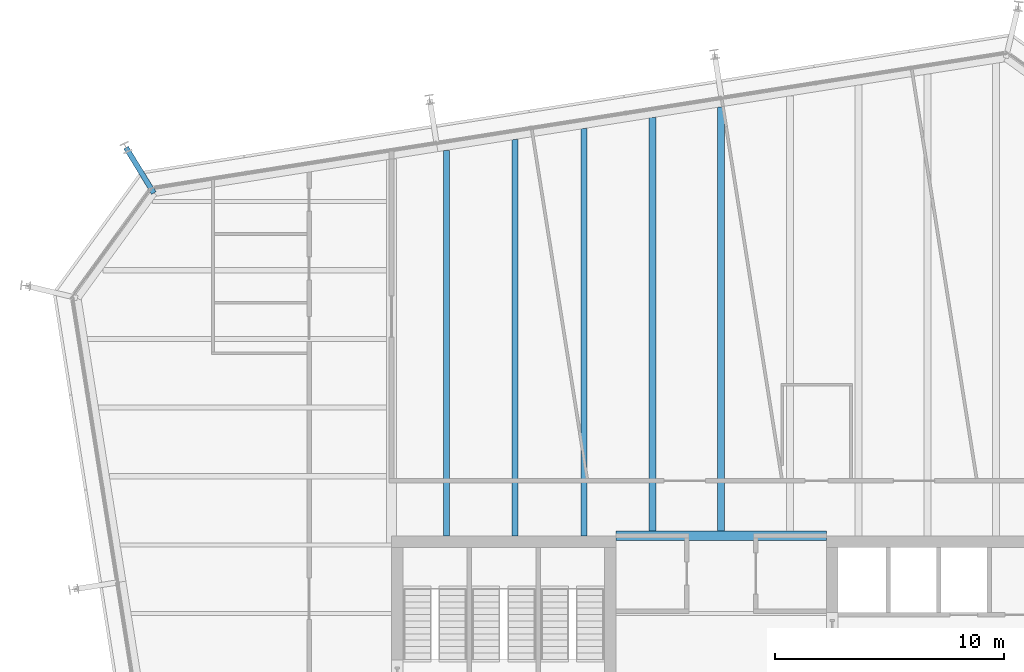
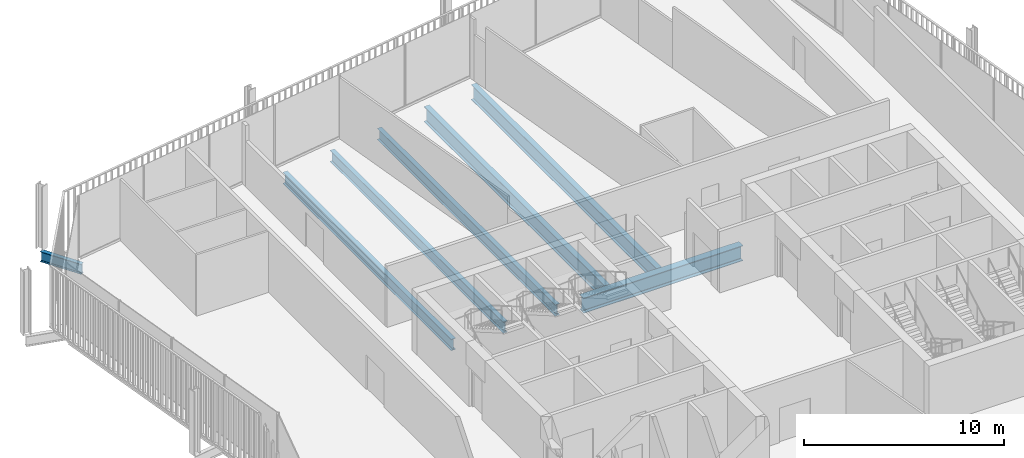
# One storey, part 11 of 20: 7 beams.
"""IFC4 building model written with IfcOpenShell, lengths in metres."""

import ifcopenshell
import ifcopenshell.guid

model = None  # the IFC model being written
_history = None  # IfcOwnerHistory: only IFC2X3 demands one
_inside = {}  # id of a spatial element -> (the spatial element, [elements in it])
_under = {}  # id of a project, library or spatial element -> (it, [spatial elements below it])
_declared = {}  # id of a project -> (the project, [libraries it declares])
_typed = {}  # id of a type object -> (the type object, [elements of that type])
_made_of = {}  # id of a material, layer set ... -> (it, [elements and type objects made of it])


def new_model(schema):
    """Start an empty IFC model of exactly this schema.

    Asked for "IFC4X3", IfcOpenShell would pick the latest addendum, in which some entities
    have other attributes; the version numbers below select the first issue.
    IFC2X3 requires an IfcOwnerHistory on every rooted entity: one is made here for all.
    """
    global model, _history
    if schema == "IFC4X3":
        model = ifcopenshell.file(schema_version=(4, 3, 0, 0))
    else:
        model = ifcopenshell.file(schema=schema)
    _inside.clear()
    _under.clear()
    _declared.clear()
    _typed.clear()
    _made_of.clear()
    _history = None
    if model.schema == "IFC2X3":
        org = make("IfcOrganization", Name="unknown")
        user = make(
            "IfcPersonAndOrganization",
            ThePerson=make("IfcPerson", FamilyName="unknown"),
            TheOrganization=org,
        )
        app = make(
            "IfcApplication",
            ApplicationDeveloper=org,
            Version="unknown",
            ApplicationFullName="unknown",
            ApplicationIdentifier="unknown",
        )
        _history = make(
            "IfcOwnerHistory",
            OwningUser=user,
            OwningApplication=app,
            ChangeAction="ADDED",
            CreationDate=0,
        )
    return model


def make(cls, **values):
    """One entity of the class cls with the attributes given. An attribute that is None is left unset."""
    return model.create_entity(
        cls, **{name: value for name, value in values.items() if value is not None}
    )


def rooted(cls, **values):
    """An entity with a GlobalId (a new one), such as an element, a storey or a relation."""
    return make(cls, GlobalId=ifcopenshell.guid.new(), OwnerHistory=_history, **values)


def si_unit(unit_type, name, prefix=None):
    """IfcSIUnit, for example si_unit("LENGTHUNIT", "METRE", prefix="MILLI")."""
    return make("IfcSIUnit", UnitType=unit_type, Prefix=prefix, Name=name)


def assignment(units):
    """IfcUnitAssignment: the units of a project."""
    return None if units is None else make("IfcUnitAssignment", Units=units)


def point(xyz):
    """IfcCartesianPoint."""
    return None if xyz is None else make("IfcCartesianPoint", Coordinates=xyz)


def direction(xyz):
    """IfcDirection."""
    return None if xyz is None else make("IfcDirection", DirectionRatios=xyz)


def frame(location, z_axis=None, x_axis=None):
    """IfcAxis2Placement3D, a coordinate frame: its origin and axes. An axis left out is left unset."""
    return make(
        "IfcAxis2Placement3D",
        Location=point(location),
        Axis=direction(z_axis),
        RefDirection=direction(x_axis),
    )


def frame_2d(location, x_axis=None):
    """IfcAxis2Placement2D, a coordinate frame in the plane: its origin and x axis."""
    return make(
        "IfcAxis2Placement2D", Location=point(location), RefDirection=direction(x_axis)
    )


def origin():
    """The frame at (0, 0, 0) with its axes left unset."""
    return frame((0.0, 0.0, 0.0))


def origin_2d():
    """The frame at (0, 0) in the plane with its x axis left unset."""
    return frame_2d((0.0, 0.0))


def place(relative_to, where):
    """IfcLocalPlacement: puts the frame where relative to a parent placement (None: the world)."""
    return make(
        "IfcLocalPlacement", PlacementRelTo=relative_to, RelativePlacement=where
    )


def context(
    kind, dimensions, precision=None, world=None, true_north=None, identifier=None
):
    """IfcGeometricRepresentationContext, for example the 3D "Model" context."""
    return make(
        "IfcGeometricRepresentationContext",
        ContextIdentifier=identifier,
        ContextType=kind,
        CoordinateSpaceDimension=dimensions,
        Precision=precision,
        WorldCoordinateSystem=world,
        TrueNorth=true_north,
    )


def subcontext(parent, identifier, kind, view, scale=None):
    """IfcGeometricRepresentationSubContext, for example "Body" below "Model"."""
    return make(
        "IfcGeometricRepresentationSubContext",
        ContextIdentifier=identifier,
        ContextType=kind,
        ParentContext=parent,
        TargetScale=scale,
        TargetView=view,
    )


def project(units=None, contexts=None):
    """IfcProject with its units and contexts."""
    return rooted(
        "IfcProject",
        Name="project",
        RepresentationContexts=contexts,
        UnitsInContext=assignment(units),
    )


def spatial(cls, under=None, at=None, **own):
    """A site, building, storey or space (cls), placed at a placement, below another one or the project."""
    s = rooted(cls, ObjectPlacement=at, **own)
    if under is not None:
        _under.setdefault(under.id(), (under, []))[1].append(s)
    return s


def profile(cls, at=None, kind="AREA", **sizes):
    """A parametric profile (cls). Its sizes go by their IFC names, for example OverallWidth=200.0."""
    return make(cls, ProfileType=kind, Position=at, **sizes)


def i_section(**sizes):
    """IfcIShapeProfileDef."""
    return profile("IfcIShapeProfileDef", **sizes)


def extrude(swept, where, along, depth):
    """IfcExtrudedAreaSolid: the profile swept, set in the frame where, extruded along a direction by depth."""
    return make(
        "IfcExtrudedAreaSolid",
        SweptArea=swept,
        Position=where,
        ExtrudedDirection=direction(along),
        Depth=depth,
    )


def shape(context_of_items, identifier, shape_type, items):
    """IfcShapeRepresentation: the items that make up one representation, for example the "Body"."""
    return make(
        "IfcShapeRepresentation",
        ContextOfItems=context_of_items,
        RepresentationIdentifier=identifier,
        RepresentationType=shape_type,
        Items=items,
    )


def material(Name=None, Category=None):
    """IfcMaterial."""
    return make("IfcMaterial", Name=Name, Category=Category)


def material_profile(
    of_material, cross_section, Name=None, Category=None, Priority=None
):
    """IfcMaterialProfile: a cross section and its material."""
    return make(
        "IfcMaterialProfile",
        Name=Name,
        Material=of_material,
        Profile=cross_section,
        Priority=Priority,
        Category=Category,
    )


def profile_set(profiles, Name=None, composite=None):
    """IfcMaterialProfileSet."""
    return make(
        "IfcMaterialProfileSet",
        Name=Name,
        MaterialProfiles=profiles,
        CompositeProfile=composite,
    )


def made_of(thing, what):
    """Note that an element or type object is made of a material, layer set ...; save() writes the relation."""
    if what is not None:
        _made_of.setdefault(what.id(), (what, []))[1].append(thing)
    return thing


def type_object(cls, material=None, **own):
    """A type object (cls), such as IfcWallType, which elements share."""
    return made_of(rooted(cls, **own), material)


def element(
    cls,
    number,
    at=None,
    inside=None,
    cuts=None,
    type_object=None,
    material=None,
    context=None,
    identifier="Body",
    shape_type=None,
    held_by="IfcProductDefinitionShape",
    body=None,
    shapes=None,
    **own,
):
    """One element of the class cls, such as IfcWall. Its Tag is "e" and its number.

    at: its placement. inside: the storey or other place that contains it. cuts: it is an
    opening in that element (IfcRelVoidsElement). A single representation is given by context,
    identifier, shape_type and body (its items); several are given by shapes. held_by: the class
    of the entity that holds the representations. save() writes the other relations.
    """
    e = rooted(cls, Tag="e%d" % number, ObjectPlacement=at, **own)
    if body is not None:
        shapes = [shape(context, identifier, shape_type, body)]
    if shapes is not None:
        e.Representation = make(held_by, Representations=shapes)
    if inside is not None:
        _inside.setdefault(inside.id(), (inside, []))[1].append(e)
    if cuts is not None:
        rooted(
            "IfcRelVoidsElement", RelatingBuildingElement=cuts, RelatedOpeningElement=e
        )
    if type_object is not None:
        _typed.setdefault(type_object.id(), (type_object, []))[1].append(e)
    return made_of(e, material)


def aggregate(whole, parts):
    """IfcRelAggregates: a whole, such as a stair, and the parts it consists of."""
    return rooted("IfcRelAggregates", RelatingObject=whole, RelatedObjects=parts)


def save(model, path):
    """Write the relations noted so far, then the file.

    IfcRelAggregates (storeys below a building ...), IfcRelContainedInSpatialStructure (elements
    in a storey), IfcRelDefinesByType, IfcRelAssociatesMaterial and IfcRelDeclares: one each for
    every whole, place, type object, material and project.
    """
    for whole, parts in _under.values():
        aggregate(whole, parts)
    for where, things in _inside.values():
        rooted(
            "IfcRelContainedInSpatialStructure",
            RelatedElements=things,
            RelatingStructure=where,
        )
    for kind, things in _typed.values():
        rooted("IfcRelDefinesByType", RelatedObjects=things, RelatingType=kind)
    for what, things in _made_of.values():
        rooted("IfcRelAssociatesMaterial", RelatedObjects=things, RelatingMaterial=what)
    for by, libraries in _declared.values():
        rooted("IfcRelDeclares", RelatingContext=by, RelatedDefinitions=libraries)
    model.write(path)


model = new_model("IFC4")

# Units and contexts
model_context = context("Model", 3, precision=1e-05, world=origin(), true_north=direction((0.0, 1.0)))
body_context = subcontext(model_context, "Body", "Model", "MODEL_VIEW")
ifc_project = project(units=[si_unit("LENGTHUNIT", "METRE"), si_unit("AREAUNIT", "SQUARE_METRE"), si_unit("VOLUMEUNIT", "CUBIC_METRE"), si_unit("PLANEANGLEUNIT", "RADIAN"), si_unit("MASSUNIT", "GRAM", prefix="KILO")], contexts=[model_context])

# Site, building, storey
site_placement = place(None, origin())
site = spatial("IfcSite", under=ifc_project, at=site_placement, CompositionType="ELEMENT")
building_placement = place(site_placement, origin())
building = spatial("IfcBuilding", under=site, at=building_placement, Name="Millrace Tower", CompositionType="ELEMENT")
storey_placement = place(building_placement, frame((0.0, 0.0, 251.300048828125)))
storey = spatial("IfcBuildingStorey", under=building, at=storey_placement, Name="L57", CompositionType="ELEMENT", Elevation=251.300048828125)

# Beams
ifc_material_1 = material(Name="Steel ASTM A992 Grade 50", Category="steel")
ifc_material_profile_1 = material_profile(ifc_material_1, i_section(OverallWidth=0.256591796875, OverallDepth=0.693359375, WebThickness=0.014404296875, FlangeThickness=0.023681640625, FilletRadius=0.01513671875, at=origin_2d()))
ifc_profile_set_1 = profile_set([ifc_material_profile_1], Name="Steel ASTM A992 Grade 50")
beam_type_1 = type_object("IfcBeamType", Name="Floor beam W27x114", PredefinedType="JOIST", material=ifc_profile_set_1)
beam_1_placement = place(storey_placement, frame((-12.0, 9.39990234375, -0.5068359375), z_axis=(0.0, 1.0, 0.0), x_axis=(-1.0, 0.0, 0.0)))
element("IfcBeam", 1, at=beam_1_placement, inside=storey, type_object=beam_type_1, Name="BM-D-L57-S1-S036", PredefinedType="JOIST", context=body_context, shape_type="SweptSolid", body=[
    extrude(i_section(OverallWidth=0.256591796875, OverallDepth=0.693359375, WebThickness=0.014404296875, FlangeThickness=0.023681640625, FilletRadius=0.01513671875, at=origin_2d()), origin(), (0.0, 0.0, 1.0), 16.8369140625),
])
beam_2_placement = place(storey_placement, frame((-9.0, 9.39990234375, -0.5068359375), z_axis=(0.0, 1.0, 0.0), x_axis=(-1.0, 0.0, 0.0)))
element("IfcBeam", 2, at=beam_2_placement, inside=storey, type_object=beam_type_1, Name="BM-D-L57-S1-S038", PredefinedType="JOIST", context=body_context, shape_type="SweptSolid", body=[
    extrude(i_section(OverallWidth=0.256591796875, OverallDepth=0.693359375, WebThickness=0.014404296875, FlangeThickness=0.023681640625, FilletRadius=0.01513671875, at=origin_2d()), origin(), (0.0, 0.0, 1.0), 17.31201171875),
])
beam_3_placement = place(storey_placement, frame((-6.0, 9.39990234375, -0.5068359375), z_axis=(0.0, 1.0, 0.0), x_axis=(-1.0, 0.0, 0.0)))
element("IfcBeam", 3, at=beam_3_placement, inside=storey, type_object=beam_type_1, Name="BM-D-L57-S1-S040", PredefinedType="JOIST", context=body_context, shape_type="SweptSolid", body=[
    extrude(i_section(OverallWidth=0.256591796875, OverallDepth=0.693359375, WebThickness=0.014404296875, FlangeThickness=0.023681640625, FilletRadius=0.01513671875, at=origin_2d()), origin(), (0.0, 0.0, 1.0), 17.787109375),
])
ifc_material_2 = material(Name="Steel ASTM A992 Grade 50", Category="steel")
ifc_material_profile_2 = material_profile(ifc_material_2, i_section(OverallWidth=0.307373046875, OverallDepth=0.927001953125, WebThickness=0.01953125, FlangeThickness=0.031982421875, FilletRadius=0.01904296875, at=origin_2d()))
ifc_profile_set_2 = profile_set([ifc_material_profile_2], Name="Steel ASTM A992 Grade 50")
beam_type_2 = type_object("IfcBeamType", Name="Floor beam W36x194", PredefinedType="JOIST", material=ifc_profile_set_2)
beam_4_placement = place(storey_placement, frame((-3.0, 9.609619140625, -0.62353515625), z_axis=(0.0, 1.0, 0.0), x_axis=(-1.0, 0.0, 0.0)))
element("IfcBeam", 4, at=beam_4_placement, inside=storey, type_object=beam_type_2, Name="BM-D-L57-S1-S042", PredefinedType="JOIST", context=body_context, shape_type="SweptSolid", body=[
    extrude(i_section(OverallWidth=0.307373046875, OverallDepth=0.927001953125, WebThickness=0.01953125, FlangeThickness=0.031982421875, FilletRadius=0.01904296875, at=origin_2d()), origin(), (0.0, 0.0, 1.0), 18.052490234375),
])
beam_5_placement = place(storey_placement, frame((0.0, 9.609619140625, -0.62353515625), z_axis=(0.0, 1.0, 0.0), x_axis=(-1.0, 0.0, 0.0)))
element("IfcBeam", 5, at=beam_5_placement, inside=storey, type_object=beam_type_2, Name="BM-D-L57-S1-S044", PredefinedType="JOIST", context=body_context, shape_type="SweptSolid", body=[
    extrude(i_section(OverallWidth=0.307373046875, OverallDepth=0.927001953125, WebThickness=0.01953125, FlangeThickness=0.031982421875, FilletRadius=0.01904296875, at=origin_2d()), origin(), (0.0, 0.0, 1.0), 18.527587890625),
])
ifc_material_3 = material(Name="Steel ASTM A992 Grade 50", Category="steel")
ifc_material_profile_3 = material_profile(ifc_material_3, i_section(OverallWidth=0.419189453125, OverallDepth=0.927001953125, WebThickness=0.019287109375, FlangeThickness=0.031982421875, FilletRadius=0.024169921875, at=origin_2d()))
ifc_profile_set_3 = profile_set([ifc_material_profile_3], Name="Steel ASTM A992 Grade 50")
beam_type_3 = type_object("IfcBeamType", Name="Girder short span W36x231", PredefinedType="BEAM", material=ifc_profile_set_3)
beam_6_placement = place(storey_placement, frame((-4.60009765625, 9.39990234375, -0.62353515625), z_axis=(1.0, 0.0, 0.0), x_axis=(0.0, 1.0, 0.0)))
element("IfcBeam", 6, at=beam_6_placement, inside=storey, type_object=beam_type_3, Name="BM-D-L57-S1-G058", PredefinedType="BEAM", context=body_context, shape_type="SweptSolid", body=[
    extrude(i_section(OverallWidth=0.419189453125, OverallDepth=0.927001953125, WebThickness=0.019287109375, FlangeThickness=0.031982421875, FilletRadius=0.024169921875, at=origin_2d()), origin(), (0.0, 0.0, 1.0), 9.2001953125),
])
ifc_material_4 = material(Name="Steel ASTM A992 Grade 50", Category="steel")
ifc_material_profile_4 = material_profile(ifc_material_4, i_section(OverallWidth=0.23046875, OverallDepth=0.6171875, WebThickness=0.01318359375, FlangeThickness=0.022216796875, FilletRadius=0.012939453125, at=origin_2d()))
ifc_profile_set_4 = profile_set([ifc_material_profile_4], Name="Steel ASTM A992 Grade 50")
beam_type_4 = type_object("IfcBeamType", Name="Link beam W24x94", PredefinedType="BEAM", material=ifc_profile_set_4)
beam_7_placement = place(storey_placement, frame((-24.7783203125, 24.368408203125, -0.46875), z_axis=(-0.522512938711, 0.852631355792, 0.0), x_axis=(-0.852631355792, -0.522512938711, 0.0)))
element("IfcBeam", 7, at=beam_7_placement, inside=storey, type_object=beam_type_4, Name="LNK-D-L57-S1-05", PredefinedType="BEAM", context=body_context, shape_type="SweptSolid", body=[
    extrude(i_section(OverallWidth=0.23046875, OverallDepth=0.6171875, WebThickness=0.01318359375, FlangeThickness=0.022216796875, FilletRadius=0.012939453125, at=origin_2d()), origin(), (0.0, 0.0, 1.0), 2.3310546875),
])

save(model, "model.ifc")
